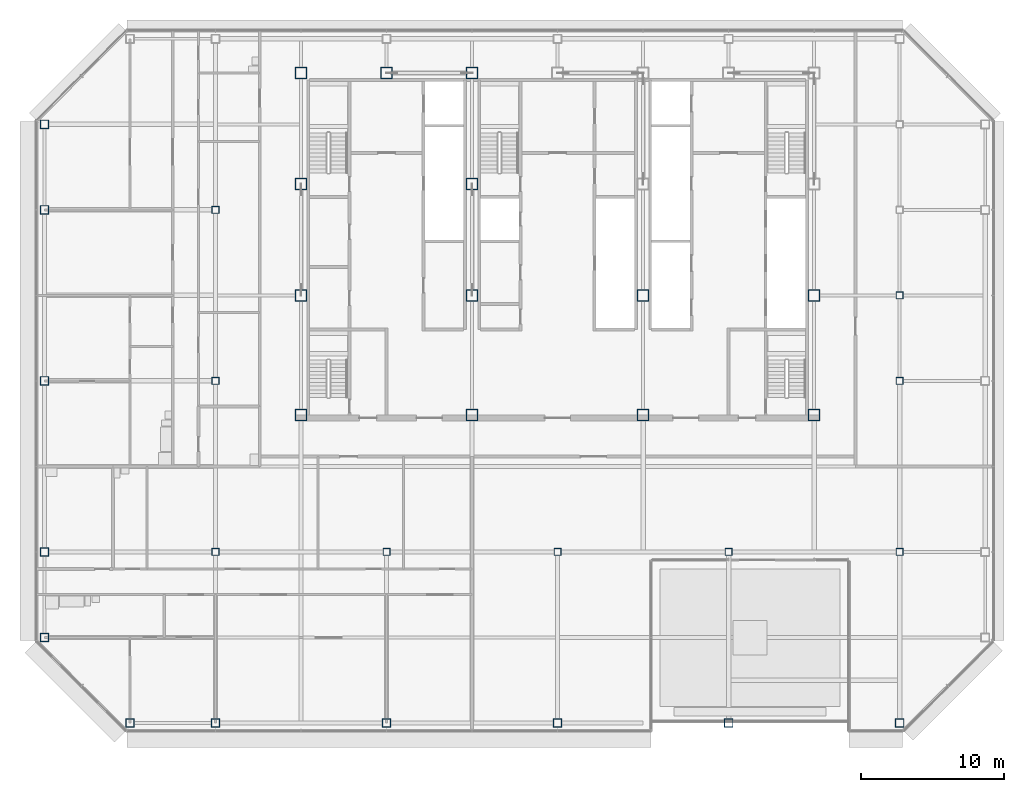
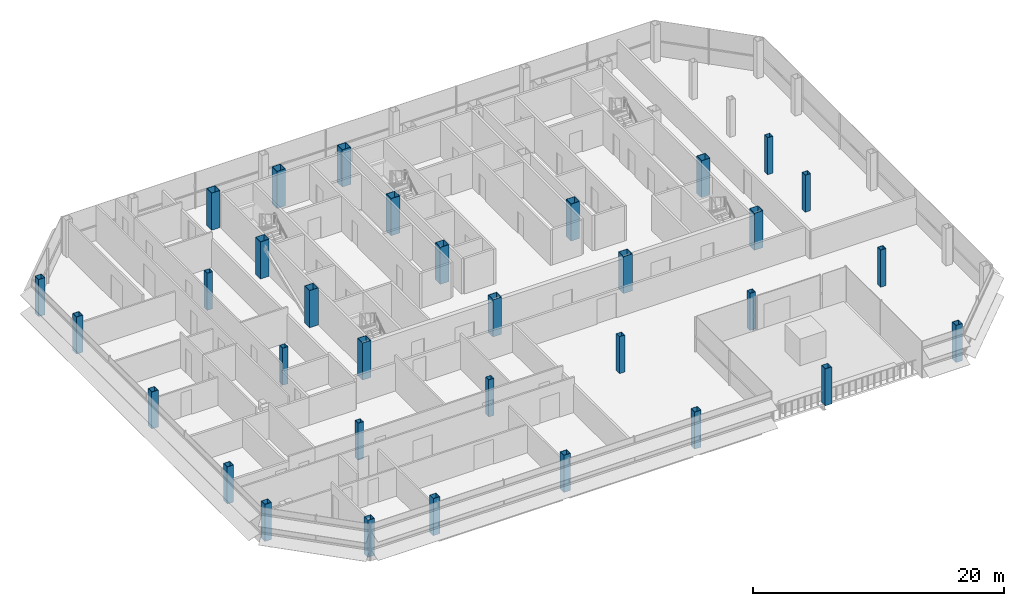
# One storey, part 1 of 30: 33 columns.
"""IFC4 building model written with IfcOpenShell, lengths in metres."""

from ifc_helpers import new_model, si_unit, direction, frame, origin, origin_2d, place, context, subcontext, project, spatial, hollow_rectangle, extrude, material, material_profile, profile_set, type_object, element, save


model = new_model("IFC4")

# Units and contexts
model_context = context("Model", 3, precision=1e-05, world=origin(), true_north=direction((0.0, 1.0)))
body_context = subcontext(model_context, "Body", "Model", "MODEL_VIEW")
ifc_project = project(units=[si_unit("LENGTHUNIT", "METRE"), si_unit("AREAUNIT", "SQUARE_METRE"), si_unit("VOLUMEUNIT", "CUBIC_METRE"), si_unit("PLANEANGLEUNIT", "RADIAN"), si_unit("MASSUNIT", "GRAM", prefix="KILO")], contexts=[model_context])

# Site, building, storey
site_placement = place(None, origin())
site = spatial("IfcSite", under=ifc_project, at=site_placement, CompositionType="ELEMENT")
building_placement = place(site_placement, origin())
building = spatial("IfcBuilding", under=site, at=building_placement, Name="Sorahane Residences", CompositionType="ELEMENT")
storey_placement = place(building_placement, frame((0.0, 0.0, 263.0)))
storey = spatial("IfcBuildingStorey", under=building, at=storey_placement, Name="L62", CompositionType="ELEMENT", Elevation=263.0)

# Columns
ifc_material_1 = material(Name="Steel Q355B", Category="steel")
ifc_material_profile_1 = material_profile(ifc_material_1, hollow_rectangle(XDim=0.5, YDim=0.5, WallThickness=0.02490234375, at=origin_2d()), Name="BOX 500x500x25")
ifc_profile_set_1 = profile_set([ifc_material_profile_1], Name="Steel Q355B")
column_type_1 = type_object("IfcColumnType", Name="Steel box column BOX 500x500x25 Q355B", PredefinedType="COLUMN", material=ifc_profile_set_1)
for number, where, z_axis, x_axis, name in (
    (1, (0.0, 12.0, 0.0), (0.0, 0.0, 1.0), (1.0, 0.0, 0.0), "Column L62 0/12"),
    (2, (0.0, 24.0, 0.0), (0.0, 0.0, 1.0), (1.0, 0.0, 0.0), "Column L62 0/24"),
    (3, (0.0, 36.0, 0.0), (0.0, 0.0, 1.0), (1.0, 0.0, 0.0), "Column L62 0/36"),
    (4, (12.0, 12.0, 0.0), (0.0, 0.0, 1.0), (1.0, 0.0, 0.0), "Column L62 12/12"),
    (5, (24.0, 12.0, 0.0), (0.0, 0.0, 1.0), (1.0, 0.0, 0.0), "Column L62 24/12"),
    (6, (36.0, 12.0, 0.0), (0.0, 0.0, 1.0), (1.0, 0.0, 0.0), "Column L62 36/12"),
    (7, (48.0, 12.0, 0.0), (0.0, 0.0, 1.0), (1.0, 0.0, 0.0), "Column L62 48/12"),
    (8, (48.0, 24.0, 0.0), (0.0, 0.0, 1.0), (1.0, 0.0, 0.0), "Column L62 48/24"),
    (9, (48.0, 30.0, 0.0), (0.0, 0.0, 1.0), (1.0, 0.0, 0.0), "Column L62 48/30"),
):
    element("IfcColumn", number, at=place(storey_placement, frame(where, z_axis=z_axis, x_axis=x_axis)), inside=storey, type_object=column_type_1, Name=name, PredefinedType="COLUMN", context=body_context, shape_type="SweptSolid", body=[
        extrude(hollow_rectangle(XDim=0.5, YDim=0.5, WallThickness=0.02490234375, at=origin_2d()), origin(), (0.0, 0.0, 1.0), 3.60009765625),
    ])
ifc_material_2 = material(Name="Steel Q355B", Category="steel")
ifc_material_profile_2 = material_profile(ifc_material_2, hollow_rectangle(XDim=0.60009765625, YDim=0.60009765625, WallThickness=0.028076171875, at=origin_2d()), Name="BOX 600x600x28")
ifc_profile_set_2 = profile_set([ifc_material_profile_2], Name="Steel Q355B")
column_type_2 = type_object("IfcColumnType", Name="Steel box column BOX 600x600x28 Q355B", PredefinedType="COLUMN", material=ifc_profile_set_2)
for number, where, z_axis, x_axis, name in (
    (10, (-12.0, 6.0, 0.0), (0.0, 0.0, 1.0), (1.0, 0.0, 0.0), "Column L62 m12/6"),
    (11, (-12.0, 12.0, 0.0), (0.0, 0.0, 1.0), (1.0, 0.0, 0.0), "Column L62 m12/12"),
    (12, (-12.0, 24.0, 0.0), (0.0, 0.0, 1.0), (1.0, 0.0, 0.0), "Column L62 m12/24"),
    (13, (-12.0, 36.0, 0.0), (0.0, 0.0, 1.0), (1.0, 0.0, 0.0), "Column L62 m12/36"),
    (14, (-12.0, 42.0, 0.0), (0.0, 0.0, 1.0), (1.0, 0.0, 0.0), "Column L62 m12/42"),
    (15, (-6.0, 0.0, 0.0), (0.0, 0.0, 1.0), (1.0, 0.0, 0.0), "Column L62 m6/0"),
    (16, (0.0, 0.0, 0.0), (0.0, 0.0, 1.0), (1.0, 0.0, 0.0), "Column L62 0/0"),
    (17, (12.0, 0.0, 0.0), (0.0, 0.0, 1.0), (1.0, 0.0, 0.0), "Column L62 12/0"),
    (18, (24.0, 0.0, 0.0), (0.0, 0.0, 1.0), (1.0, 0.0, 0.0), "Column L62 24/0"),
    (19, (36.0, 0.0, 0.0), (0.0, 0.0, 1.0), (1.0, 0.0, 0.0), "Column L62 36/0"),
    (20, (48.0, 0.0, 0.0), (0.0, 0.0, 1.0), (1.0, 0.0, 0.0), "Column L62 48/0"),
):
    element("IfcColumn", number, at=place(storey_placement, frame(where, z_axis=z_axis, x_axis=x_axis)), inside=storey, type_object=column_type_2, Name=name, PredefinedType="COLUMN", context=body_context, shape_type="SweptSolid", body=[
        extrude(hollow_rectangle(XDim=0.60009765625, YDim=0.60009765625, WallThickness=0.028076171875, at=origin_2d()), origin(), (0.0, 0.0, 1.0), 3.60009765625),
    ])
ifc_material_3 = material(Name="Steel Q355B", Category="steel")
ifc_material_profile_3 = material_profile(ifc_material_3, hollow_rectangle(XDim=0.800048828125, YDim=0.800048828125, WallThickness=0.031982421875, at=origin_2d()), Name="BOX 800x800x32")
ifc_profile_set_3 = profile_set([ifc_material_profile_3], Name="Steel Q355B")
column_type_3 = type_object("IfcColumnType", Name="Steel box column BOX 800x800x32 Q355B", PredefinedType="COLUMN", material=ifc_profile_set_3)
for number, where, z_axis, x_axis, name in (
    (21, (6.0, 21.60009765625, 0.0), (0.0, 0.0, 1.0), (1.0, 0.0, 0.0), "Column L62 6/21.6"),
    (22, (6.0, 30.0, 0.0), (0.0, 0.0, 1.0), (1.0, 0.0, 0.0), "Column L62 6/30"),
    (23, (6.0, 37.800048828125, 0.0), (0.0, 0.0, 1.0), (1.0, 0.0, 0.0), "Column L62 6/37.8"),
    (24, (6.0, 45.60009765625, 0.0), (0.0, 0.0, 1.0), (1.0, 0.0, 0.0), "Column L62 6/45.6"),
    (25, (12.0, 45.60009765625, 0.0), (0.0, 0.0, 1.0), (1.0, 0.0, 0.0), "Column L62 12/45.6"),
    (26, (18.0, 21.60009765625, 0.0), (0.0, 0.0, 1.0), (1.0, 0.0, 0.0), "Column L62 18/21.6"),
    (27, (18.0, 30.0, 0.0), (0.0, 0.0, 1.0), (1.0, 0.0, 0.0), "Column L62 18/30"),
    (28, (18.0, 37.800048828125, 0.0), (0.0, 0.0, 1.0), (1.0, 0.0, 0.0), "Column L62 18/37.8"),
    (29, (18.0, 45.60009765625, 0.0), (0.0, 0.0, 1.0), (1.0, 0.0, 0.0), "Column L62 18/45.6"),
    (30, (30.0, 21.60009765625, 0.0), (0.0, 0.0, 1.0), (1.0, 0.0, 0.0), "Column L62 30/21.6"),
    (31, (30.0, 30.0, 0.0), (0.0, 0.0, 1.0), (1.0, 0.0, 0.0), "Column L62 30/30"),
    (32, (42.0, 21.60009765625, 0.0), (0.0, 0.0, 1.0), (1.0, 0.0, 0.0), "Column L62 42/21.6"),
    (33, (42.0, 30.0, 0.0), (0.0, 0.0, 1.0), (1.0, 0.0, 0.0), "Column L62 42/30"),
):
    element("IfcColumn", number, at=place(storey_placement, frame(where, z_axis=z_axis, x_axis=x_axis)), inside=storey, type_object=column_type_3, Name=name, PredefinedType="COLUMN", context=body_context, shape_type="SweptSolid", body=[
        extrude(hollow_rectangle(XDim=0.800048828125, YDim=0.800048828125, WallThickness=0.031982421875, at=origin_2d()), origin(), (0.0, 0.0, 1.0), 3.60009765625),
    ])

save(model, "model.ifc")
